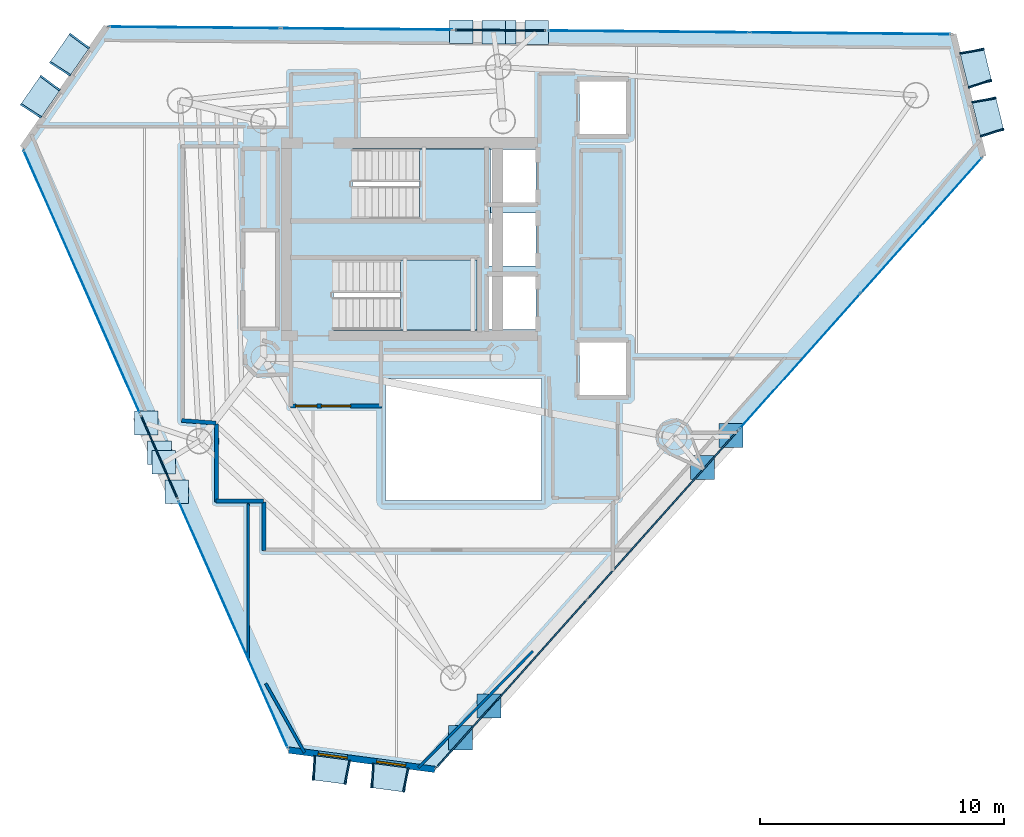
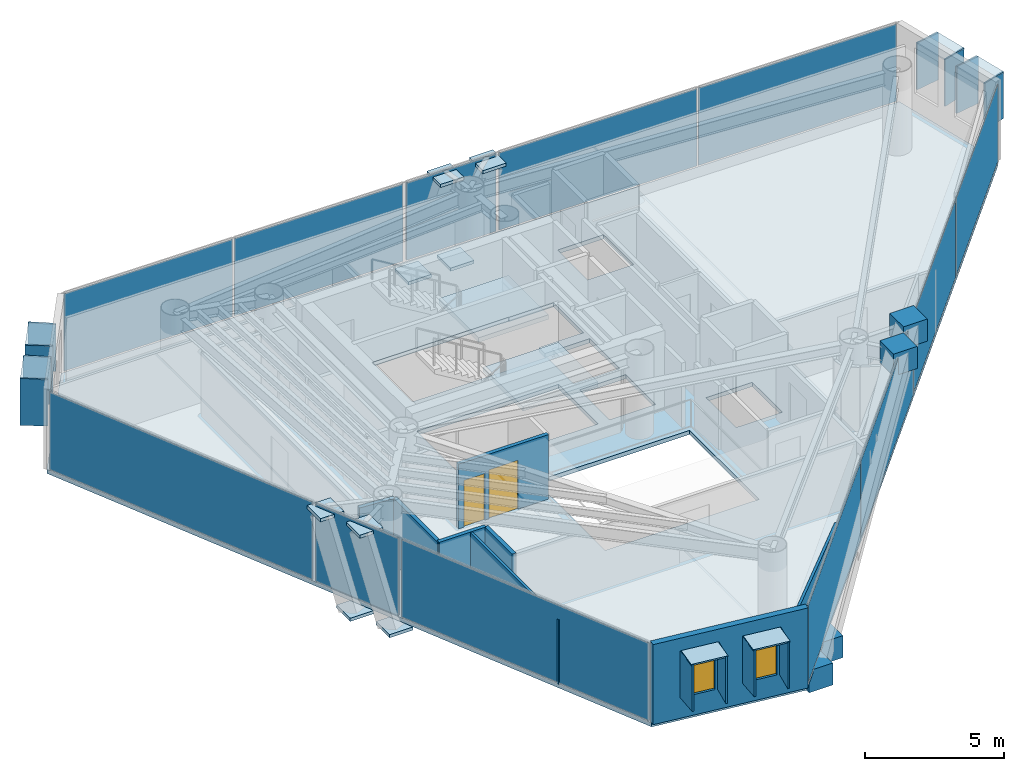
# One storey, part 15 of 21: 42 plates, 9 walls, 3 slabs, 2 doors, 2 windows, 4 openings, 10 elements without a shape of their own.
"""IFC4 building model written with IfcOpenShell, lengths in metres."""

import ifcopenshell
import ifcopenshell.guid

model = None  # the IFC model being written
_history = None  # IfcOwnerHistory: only IFC2X3 demands one
_inside = {}  # id of a spatial element -> (the spatial element, [elements in it])
_under = {}  # id of a project, library or spatial element -> (it, [spatial elements below it])
_declared = {}  # id of a project -> (the project, [libraries it declares])
_typed = {}  # id of a type object -> (the type object, [elements of that type])
_made_of = {}  # id of a material, layer set ... -> (it, [elements and type objects made of it])


def new_model(schema):
    """Start an empty IFC model of exactly this schema.

    Asked for "IFC4X3", IfcOpenShell would pick the latest addendum, in which some entities
    have other attributes; the version numbers below select the first issue.
    IFC2X3 requires an IfcOwnerHistory on every rooted entity: one is made here for all.
    """
    global model, _history
    if schema == "IFC4X3":
        model = ifcopenshell.file(schema_version=(4, 3, 0, 0))
    else:
        model = ifcopenshell.file(schema=schema)
    _inside.clear()
    _under.clear()
    _declared.clear()
    _typed.clear()
    _made_of.clear()
    _history = None
    if model.schema == "IFC2X3":
        org = make("IfcOrganization", Name="unknown")
        user = make(
            "IfcPersonAndOrganization",
            ThePerson=make("IfcPerson", FamilyName="unknown"),
            TheOrganization=org,
        )
        app = make(
            "IfcApplication",
            ApplicationDeveloper=org,
            Version="unknown",
            ApplicationFullName="unknown",
            ApplicationIdentifier="unknown",
        )
        _history = make(
            "IfcOwnerHistory",
            OwningUser=user,
            OwningApplication=app,
            ChangeAction="ADDED",
            CreationDate=0,
        )
    return model


def make(cls, **values):
    """One entity of the class cls with the attributes given. An attribute that is None is left unset."""
    return model.create_entity(
        cls, **{name: value for name, value in values.items() if value is not None}
    )


def rooted(cls, **values):
    """An entity with a GlobalId (a new one), such as an element, a storey or a relation."""
    return make(cls, GlobalId=ifcopenshell.guid.new(), OwnerHistory=_history, **values)


def si_unit(unit_type, name, prefix=None):
    """IfcSIUnit, for example si_unit("LENGTHUNIT", "METRE", prefix="MILLI")."""
    return make("IfcSIUnit", UnitType=unit_type, Prefix=prefix, Name=name)


def assignment(units):
    """IfcUnitAssignment: the units of a project."""
    return None if units is None else make("IfcUnitAssignment", Units=units)


def point(xyz):
    """IfcCartesianPoint."""
    return None if xyz is None else make("IfcCartesianPoint", Coordinates=xyz)


def direction(xyz):
    """IfcDirection."""
    return None if xyz is None else make("IfcDirection", DirectionRatios=xyz)


def frame(location, z_axis=None, x_axis=None):
    """IfcAxis2Placement3D, a coordinate frame: its origin and axes. An axis left out is left unset."""
    return make(
        "IfcAxis2Placement3D",
        Location=point(location),
        Axis=direction(z_axis),
        RefDirection=direction(x_axis),
    )


def frame_2d(location, x_axis=None):
    """IfcAxis2Placement2D, a coordinate frame in the plane: its origin and x axis."""
    return make(
        "IfcAxis2Placement2D", Location=point(location), RefDirection=direction(x_axis)
    )


def origin():
    """The frame at (0, 0, 0) with its axes left unset."""
    return frame((0.0, 0.0, 0.0))


def origin_2d():
    """The frame at (0, 0) in the plane with its x axis left unset."""
    return frame_2d((0.0, 0.0))


def place(relative_to, where):
    """IfcLocalPlacement: puts the frame where relative to a parent placement (None: the world)."""
    return make(
        "IfcLocalPlacement", PlacementRelTo=relative_to, RelativePlacement=where
    )


def context(
    kind, dimensions, precision=None, world=None, true_north=None, identifier=None
):
    """IfcGeometricRepresentationContext, for example the 3D "Model" context."""
    return make(
        "IfcGeometricRepresentationContext",
        ContextIdentifier=identifier,
        ContextType=kind,
        CoordinateSpaceDimension=dimensions,
        Precision=precision,
        WorldCoordinateSystem=world,
        TrueNorth=true_north,
    )


def subcontext(parent, identifier, kind, view, scale=None):
    """IfcGeometricRepresentationSubContext, for example "Body" below "Model"."""
    return make(
        "IfcGeometricRepresentationSubContext",
        ContextIdentifier=identifier,
        ContextType=kind,
        ParentContext=parent,
        TargetScale=scale,
        TargetView=view,
    )


def project(units=None, contexts=None):
    """IfcProject with its units and contexts."""
    return rooted(
        "IfcProject",
        Name="project",
        RepresentationContexts=contexts,
        UnitsInContext=assignment(units),
    )


def spatial(cls, under=None, at=None, **own):
    """A site, building, storey or space (cls), placed at a placement, below another one or the project."""
    s = rooted(cls, ObjectPlacement=at, **own)
    if under is not None:
        _under.setdefault(under.id(), (under, []))[1].append(s)
    return s


def polyline(points):
    """IfcPolyline through the points."""
    return make("IfcPolyline", Points=[point(p) for p in points])


def profile(cls, at=None, kind="AREA", **sizes):
    """A parametric profile (cls). Its sizes go by their IFC names, for example OverallWidth=200.0."""
    return make(cls, ProfileType=kind, Position=at, **sizes)


def rectangle(**sizes):
    """IfcRectangleProfileDef."""
    return profile("IfcRectangleProfileDef", **sizes)


def outline(outer, holes=None, kind="AREA"):
    """IfcArbitraryClosedProfileDef: a profile drawn as a closed curve; with holes, ...WithVoids."""
    if holes is None:
        return make("IfcArbitraryClosedProfileDef", ProfileType=kind, OuterCurve=outer)
    return make(
        "IfcArbitraryProfileDefWithVoids",
        ProfileType=kind,
        OuterCurve=outer,
        InnerCurves=holes,
    )


def extrude(swept, where, along, depth):
    """IfcExtrudedAreaSolid: the profile swept, set in the frame where, extruded along a direction by depth."""
    return make(
        "IfcExtrudedAreaSolid",
        SweptArea=swept,
        Position=where,
        ExtrudedDirection=direction(along),
        Depth=depth,
    )


def shape(context_of_items, identifier, shape_type, items):
    """IfcShapeRepresentation: the items that make up one representation, for example the "Body"."""
    return make(
        "IfcShapeRepresentation",
        ContextOfItems=context_of_items,
        RepresentationIdentifier=identifier,
        RepresentationType=shape_type,
        Items=items,
    )


def material(Name=None, Category=None):
    """IfcMaterial."""
    return make("IfcMaterial", Name=Name, Category=Category)


def layer(
    of_material, thickness, ventilated=None, Name=None, Category=None, Priority=None
):
    """IfcMaterialLayer: one layer of a wall or slab, of a material (None: an air gap)."""
    return make(
        "IfcMaterialLayer",
        Material=of_material,
        LayerThickness=thickness,
        IsVentilated=ventilated,
        Name=Name,
        Category=Category,
        Priority=Priority,
    )


def layer_set(layers, Name=None):
    """IfcMaterialLayerSet."""
    return make("IfcMaterialLayerSet", MaterialLayers=layers, LayerSetName=Name)


def made_of(thing, what):
    """Note that an element or type object is made of a material, layer set ...; save() writes the relation."""
    if what is not None:
        _made_of.setdefault(what.id(), (what, []))[1].append(thing)
    return thing


def type_object(cls, material=None, **own):
    """A type object (cls), such as IfcWallType, which elements share."""
    return made_of(rooted(cls, **own), material)


def element(
    cls,
    number,
    at=None,
    inside=None,
    cuts=None,
    type_object=None,
    material=None,
    context=None,
    identifier="Body",
    shape_type=None,
    held_by="IfcProductDefinitionShape",
    body=None,
    shapes=None,
    **own,
):
    """One element of the class cls, such as IfcWall. Its Tag is "e" and its number.

    at: its placement. inside: the storey or other place that contains it. cuts: it is an
    opening in that element (IfcRelVoidsElement). A single representation is given by context,
    identifier, shape_type and body (its items); several are given by shapes. held_by: the class
    of the entity that holds the representations. save() writes the other relations.
    """
    e = rooted(cls, Tag="e%d" % number, ObjectPlacement=at, **own)
    if body is not None:
        shapes = [shape(context, identifier, shape_type, body)]
    if shapes is not None:
        e.Representation = make(held_by, Representations=shapes)
    if inside is not None:
        _inside.setdefault(inside.id(), (inside, []))[1].append(e)
    if cuts is not None:
        rooted(
            "IfcRelVoidsElement", RelatingBuildingElement=cuts, RelatedOpeningElement=e
        )
    if type_object is not None:
        _typed.setdefault(type_object.id(), (type_object, []))[1].append(e)
    return made_of(e, material)


def fill(opening, filler):
    """IfcRelFillsElement: the door or window that sits in an opening."""
    return rooted(
        "IfcRelFillsElement",
        RelatingOpeningElement=opening,
        RelatedBuildingElement=filler,
    )


def aggregate(whole, parts):
    """IfcRelAggregates: a whole, such as a stair, and the parts it consists of."""
    return rooted("IfcRelAggregates", RelatingObject=whole, RelatedObjects=parts)


def save(model, path):
    """Write the relations noted so far, then the file.

    IfcRelAggregates (storeys below a building ...), IfcRelContainedInSpatialStructure (elements
    in a storey), IfcRelDefinesByType, IfcRelAssociatesMaterial and IfcRelDeclares: one each for
    every whole, place, type object, material and project.
    """
    for whole, parts in _under.values():
        aggregate(whole, parts)
    for where, things in _inside.values():
        rooted(
            "IfcRelContainedInSpatialStructure",
            RelatedElements=things,
            RelatingStructure=where,
        )
    for kind, things in _typed.values():
        rooted("IfcRelDefinesByType", RelatedObjects=things, RelatingType=kind)
    for what, things in _made_of.values():
        rooted("IfcRelAssociatesMaterial", RelatedObjects=things, RelatingMaterial=what)
    for by, libraries in _declared.values():
        rooted("IfcRelDeclares", RelatingContext=by, RelatedDefinitions=libraries)
    model.write(path)


model = new_model("IFC4")

# Units and contexts
model_context = context("Model", 3, precision=1e-05, world=origin(), true_north=direction((0.0, 1.0)))
body_context = subcontext(model_context, "Body", "Model", "MODEL_VIEW")
ifc_project = project(units=[si_unit("LENGTHUNIT", "METRE"), si_unit("AREAUNIT", "SQUARE_METRE"), si_unit("VOLUMEUNIT", "CUBIC_METRE"), si_unit("PLANEANGLEUNIT", "RADIAN"), si_unit("MASSUNIT", "GRAM", prefix="KILO")], contexts=[model_context])

# Site, building, storey
site_placement = place(None, origin())
site = spatial("IfcSite", under=ifc_project, at=site_placement, CompositionType="ELEMENT")
building_placement = place(site_placement, origin())
building = spatial("IfcBuilding", under=site, at=building_placement, Name="Qianvela Tower", CompositionType="ELEMENT")
storey_placement = place(building_placement, frame((0.0, 0.0, 250.10009765625)))
storey = spatial("IfcBuildingStorey", under=building, at=storey_placement, Name="L64", CompositionType="ELEMENT", Elevation=250.10009765625)

# Curtain wall, plate
ifc_material_1 = material(Name="Anodised Architectural Aluminium and Insulated Spandrel Panel", Category="aluminium")
ifc_layer_1 = layer(ifc_material_1, 0.179931640625)
ifc_layer_set_1 = layer_set([ifc_layer_1], Name="Anodised Architectural Aluminium and Insulated Spandrel Panel")
curtain_wall_type_1 = type_object("IfcCurtainWallType", Name="CW-BRACEBAY", PredefinedType="USERDEFINED", material=ifc_layer_set_1)
curtain_wall_1_placement = place(storey_placement, origin())
curtain_wall_1 = element("IfcCurtainWall", 1, at=curtain_wall_1_placement, inside=storey, type_object=curtain_wall_type_1, Name="L64 CW-BRACEBAY Curtain Wall 02B", ObjectType="CURTAIN_WALL_SYSTEM", PredefinedType="USERDEFINED")
ifc_material_2 = material(Name="Insulated Aluminium Spandrel Panel with Mineral-Wool Backpan", Category="aluminium")
ifc_layer_2 = layer(ifc_material_2, 0.06005859375)
ifc_layer_set_2 = layer_set([ifc_layer_2], Name="Insulated Aluminium Spandrel Panel with Mineral-Wool Backpan")
plate_type_1 = type_object("IfcPlateType", Name="CW-BRACEBAY-PNL", PredefinedType="CURTAIN_PANEL", material=ifc_layer_set_2)
plate_1_placement = place(storey_placement, frame((38.308349609375, 37.270263671875, 0.06494140625), z_axis=(0.0, 0.0, 1.0), x_axis=(-0.999959898811, 0.008955488266, 0.0)))
plate_1 = element("IfcPlate", 2, at=plate_1_placement, type_object=plate_type_1, Name="CW-9 panel 1.1", PredefinedType="CURTAIN_PANEL", context=body_context, shape_type="SweptSolid", body=[
    extrude(rectangle(XDim=3.699951171875, YDim=0.06005859375, at=origin_2d()), origin(), (0.0, 0.0, 1.0), 3.389892578125),
])
aggregate(curtain_wall_1, [plate_1])

curtain_wall_2_placement = place(storey_placement, origin())
curtain_wall_2 = element("IfcCurtainWall", 3, at=curtain_wall_2_placement, inside=storey, type_object=curtain_wall_type_1, Name="L64 CW-BRACEBAY Curtain Wall 04B", ObjectType="CURTAIN_WALL_SYSTEM", PredefinedType="USERDEFINED")
plate_2_placement = place(storey_placement, frame((24.331298828125, 19.787841796875, 0.06494140625), z_axis=(0.0, 0.0, 1.0), x_axis=(0.404180104869, -0.914679420796, 0.0)))
plate_2 = element("IfcPlate", 4, at=plate_2_placement, type_object=plate_type_1, Name="CW-9 panel 1.1", PredefinedType="CURTAIN_PANEL", context=body_context, shape_type="SweptSolid", body=[
    extrude(rectangle(XDim=3.699951171875, YDim=0.06005859375, at=origin_2d()), origin(), (0.0, 0.0, 1.0), 3.389892578125),
])
aggregate(curtain_wall_2, [plate_2])

# Curtain wall, plates
curtain_wall_3_placement = place(storey_placement, origin())
curtain_wall_3 = element("IfcCurtainWall", 5, at=curtain_wall_3_placement, inside=storey, type_object=curtain_wall_type_1, Name="L64 CW-BRACEBAY Curtain Wall 06A", ObjectType="CURTAIN_WALL_SYSTEM", PredefinedType="USERDEFINED")
plate_3_placement = place(storey_placement, frame((38.773681640625, 10.5078125, 0.06494140625), z_axis=(0.0, 0.0, 1.0), x_axis=(0.666623883799, 0.74539425645, 0.0)))
plate_3 = element("IfcPlate", 6, at=plate_3_placement, type_object=plate_type_1, Name="CW-9 panel 1.1", PredefinedType="CURTAIN_PANEL", context=body_context, shape_type="SweptSolid", body=[
    extrude(rectangle(XDim=9.21240234375, YDim=0.06005859375, at=origin_2d()), origin(), (0.0, 0.0, 1.0), 3.389892578125),
])
plate_4_placement = place(storey_placement, frame((44.958251953125, 17.423095703125, 0.06494140625), z_axis=(0.0, 0.0, 1.0), x_axis=(0.666623883799, 0.74539425645, 0.0)))
plate_4 = element("IfcPlate", 7, at=plate_4_placement, type_object=plate_type_1, Name="CW-9 panel 2.1", PredefinedType="CURTAIN_PANEL", context=body_context, shape_type="SweptSolid", body=[
    extrude(rectangle(XDim=9.21240234375, YDim=0.06005859375, at=origin_2d()), origin(), (0.0, 0.0, 1.0), 3.389892578125),
])
aggregate(curtain_wall_3, [plate_3, plate_4])

ifc_material_3 = material(Name="Anodised Architectural Aluminium and Low-E Glass", Category="aluminium")
ifc_layer_3 = layer(ifc_material_3, 0.159912109375)
ifc_layer_set_3 = layer_set([ifc_layer_3], Name="Anodised Architectural Aluminium and Low-E Glass")
curtain_wall_type_2 = type_object("IfcCurtainWallType", Name="CW-COLIV-Z56", PredefinedType="USERDEFINED", material=ifc_layer_set_3)
curtain_wall_4_placement = place(storey_placement, origin())
curtain_wall_4 = element("IfcCurtainWall", 8, at=curtain_wall_4_placement, inside=storey, type_object=curtain_wall_type_2, Name="L64 CW-COLIV-Z56 Curtain Wall 02A", ObjectType="CURTAIN_WALL_SYSTEM", PredefinedType="USERDEFINED")
ifc_material_4 = material(Name="Double-Silver Low-E Insulated Glass", Category="glass")
ifc_layer_4 = layer(ifc_material_4, 0.028076171875)
ifc_layer_set_4 = layer_set([ifc_layer_4], Name="Double-Silver Low-E Insulated Glass")
plate_type_2 = type_object("IfcPlateType", Name="CW-COLIV-Z56-PNL", PredefinedType="CURTAIN_PANEL", material=ifc_layer_set_4)
plate_5_placement = place(storey_placement, frame((52.641357421875, 37.141845703125, 0.06005859375), z_axis=(0.0, 0.0, 1.0), x_axis=(-0.999959888916, 0.008956593067, 0.0)))
plate_5 = element("IfcPlate", 9, at=plate_5_placement, type_object=plate_type_2, Name="CW-5 panel 1.1", PredefinedType="CURTAIN_PANEL", context=body_context, shape_type="SweptSolid", body=[
    extrude(rectangle(XDim=8.1923828125, YDim=0.028076171875, at=origin_2d()), origin(), (0.0, 0.0, 1.0), 3.39990234375),
])
plate_6_placement = place(storey_placement, frame((44.38427734375, 37.2158203125, 0.06005859375), z_axis=(0.0, 0.0, 1.0), x_axis=(-0.999959888916, 0.008956593067, 0.0)))
plate_6 = element("IfcPlate", 10, at=plate_6_placement, type_object=plate_type_2, Name="CW-5 panel 2.1", PredefinedType="CURTAIN_PANEL", context=body_context, shape_type="SweptSolid", body=[
    extrude(rectangle(XDim=8.1923828125, YDim=0.028076171875, at=origin_2d()), origin(), (0.0, 0.0, 1.0), 3.39990234375),
])
aggregate(curtain_wall_4, [plate_5, plate_6])

curtain_wall_5_placement = place(storey_placement, origin())
curtain_wall_5 = element("IfcCurtainWall", 11, at=curtain_wall_5_placement, inside=storey, type_object=curtain_wall_type_2, Name="L64 CW-COLIV-Z56 Curtain Wall 02C", ObjectType="CURTAIN_WALL_SYSTEM", PredefinedType="USERDEFINED")
plate_7_placement = place(storey_placement, frame((32.836669921875, 37.319091796875, 0.06005859375), z_axis=(0.0, 0.0, 1.0), x_axis=(-0.999959855118, 0.008960365602, 0.0)))
plate_7 = element("IfcPlate", 12, at=plate_7_placement, type_object=plate_type_2, Name="CW-5 panel 1.1", PredefinedType="CURTAIN_PANEL", context=body_context, shape_type="SweptSolid", body=[
    extrude(rectangle(XDim=6.983642578125, YDim=0.028076171875, at=origin_2d()), origin(), (0.0, 0.0, 1.0), 3.39990234375),
])
plate_8_placement = place(storey_placement, frame((25.7880859375, 37.38232421875, 0.06005859375), z_axis=(0.0, 0.0, 1.0), x_axis=(-0.999959855118, 0.008960365602, 0.0)))
plate_8 = element("IfcPlate", 13, at=plate_8_placement, type_object=plate_type_2, Name="CW-5 panel 2.1", PredefinedType="CURTAIN_PANEL", context=body_context, shape_type="SweptSolid", body=[
    extrude(rectangle(XDim=6.983642578125, YDim=0.028076171875, at=origin_2d()), origin(), (0.0, 0.0, 1.0), 3.39990234375),
])
aggregate(curtain_wall_5, [plate_7, plate_8])

# Curtain wall, plate
curtain_wall_6_placement = place(storey_placement, origin())
curtain_wall_6 = element("IfcCurtainWall", 14, at=curtain_wall_6_placement, inside=storey, type_object=curtain_wall_type_2, Name="L64 CW-COLIV-Z56 Curtain Wall 04A", ObjectType="CURTAIN_WALL_SYSTEM", PredefinedType="USERDEFINED")
plate_9_placement = place(storey_placement, frame((21.156494140625, 26.97265625, 0.06005859375), z_axis=(0.0, 0.0, 1.0), x_axis=(0.404182682841, -0.914678281633, 0.0)))
plate_9 = element("IfcPlate", 15, at=plate_9_placement, type_object=plate_type_2, Name="CW-5 panel 1.1", PredefinedType="CURTAIN_PANEL", context=body_context, shape_type="SweptSolid", body=[
    extrude(rectangle(XDim=11.75, YDim=0.028076171875, at=origin_2d()), origin(), (0.0, 0.0, 1.0), 3.39990234375),
])
aggregate(curtain_wall_6, [plate_9])

curtain_wall_7_placement = place(storey_placement, origin())
curtain_wall_7 = element("IfcCurtainWall", 16, at=curtain_wall_7_placement, inside=storey, type_object=curtain_wall_type_2, Name="L64 CW-COLIV-Z56 Curtain Wall 04C", ObjectType="CURTAIN_WALL_SYSTEM", PredefinedType="USERDEFINED")
plate_10_placement = place(storey_placement, frame((27.36083984375, 12.931884765625, 0.06005859375), z_axis=(0.0, 0.0, 1.0), x_axis=(0.404183896643, -0.914677745271, 0.0)))
plate_10 = element("IfcPlate", 17, at=plate_10_placement, type_object=plate_type_2, Name="CW-5 panel 1.1", PredefinedType="CURTAIN_PANEL", context=body_context, shape_type="SweptSolid", body=[
    extrude(rectangle(XDim=11.03076171875, YDim=0.028076171875, at=origin_2d()), origin(), (0.0, 0.0, 1.0), 3.39990234375),
])
aggregate(curtain_wall_7, [plate_10])

# Curtain wall, plates
curtain_wall_8_placement = place(storey_placement, origin())
curtain_wall_8 = element("IfcCurtainWall", 18, at=curtain_wall_8_placement, inside=storey, type_object=curtain_wall_type_2, Name="L64 CW-COLIV-Z56 Curtain Wall 06B", ObjectType="CURTAIN_WALL_SYSTEM", PredefinedType="USERDEFINED")
plate_11_placement = place(storey_placement, frame((50.577392578125, 23.706298828125, 0.06005859375), z_axis=(0.0, 0.0, 1.0), x_axis=(0.666624548237, 0.745393662226, 0.0)))
plate_11 = element("IfcPlate", 19, at=plate_11_placement, type_object=plate_type_2, Name="CW-5 panel 1.1", PredefinedType="CURTAIN_PANEL", context=body_context, shape_type="SweptSolid", body=[
    extrude(rectangle(XDim=7.386474609375, YDim=0.028076171875, at=origin_2d()), origin(), (0.0, 0.0, 1.0), 3.39990234375),
])
plate_12_placement = place(storey_placement, frame((55.544677734375, 29.260498046875, 0.06005859375), z_axis=(0.0, 0.0, 1.0), x_axis=(0.666624548237, 0.745393662226, 0.0)))
plate_12 = element("IfcPlate", 20, at=plate_12_placement, type_object=plate_type_2, Name="CW-5 panel 2.1", PredefinedType="CURTAIN_PANEL", context=body_context, shape_type="SweptSolid", body=[
    extrude(rectangle(XDim=7.386474609375, YDim=0.028076171875, at=origin_2d()), origin(), (0.0, 0.0, 1.0), 3.39990234375),
])
aggregate(curtain_wall_8, [plate_11, plate_12])

# Plates
ifc_material_5 = material(Name="Steel Q420GJC", Category="steel")
ifc_layer_5 = layer(ifc_material_5, 0.139892578125)
ifc_layer_set_5 = layer_set([ifc_layer_5], Name="Steel Q420GJC")
plate_type_3 = type_object("IfcPlateType", Name="PT-GUSSET-NODE-140", PredefinedType="USERDEFINED", material=ifc_layer_set_5)
for number, where, z_axis, x_axis, name in (
    (21, (38.46044921875, 37.188720703125, -0.61328125), (0.0, 0.0, 1.0), (1.0, 0.0, 0.0), "L64 Node Gusset Plate A"),
    (22, (39.79150390625, 37.177001953125, 3.20947265625), (0.0, 0.0, 1.0), (1.0, 0.0, 0.0), "L64 Node Gusset Plate B"),
    (23, (36.708251953125, 37.20458984375, -0.61328125), (0.0, 0.0, 1.0), (1.0, 0.0, 0.0), "L64 Node Gusset Plate A"),
    (24, (38.0390625, 37.192626953125, 3.20947265625), (0.0, 0.0, 1.0), (1.0, 0.0, 0.0), "L64 Node Gusset Plate B"),
    (25, (24.340576171875, 19.965087890625, -0.61328125), (0.0, 0.0, 1.0), (1.0, 0.0, 0.0), "L64 Node Gusset Plate A"),
    (26, (23.804443359375, 21.177978515625, 3.20947265625), (0.0, 0.0, 1.0), (1.0, 0.0, 0.0), "L64 Node Gusset Plate B"),
    (27, (25.048583984375, 18.3623046875, -0.61328125), (0.0, 0.0, 1.0), (1.0, 0.0, 0.0), "L64 Node Gusset Plate A"),
    (28, (24.512939453125, 19.574951171875, 3.20947265625), (0.0, 0.0, 1.0), (1.0, 0.0, 0.0), "L64 Node Gusset Plate B"),
):
    element("IfcPlate", number, at=place(storey_placement, frame(where, z_axis=z_axis, x_axis=x_axis)), inside=storey, type_object=plate_type_3, Name=name, ObjectType="GUSSET_PLATE", PredefinedType="USERDEFINED", context=body_context, shape_type="SweptSolid", body=[
        extrude(rectangle(XDim=0.969970703125, YDim=0.969970703125, at=origin_2d()), origin(), (0.0, 0.0, 1.0), 0.139892578125),
    ])
for number, where, z_axis, x_axis, name in (
    (29, (36.67919921875, 8.28564453125, -0.98291015625), (0.0, 0.0, 1.0), (1.0, 0.0, 0.0), "L64 Node Gusset Plate A"),
    (30, (46.583984375, 19.36083984375, 2.74853515625), (0.0, 0.0, 1.0), (1.0, 0.0, 0.0), "L64 Node Gusset Plate B"),
    (31, (37.847412109375, 9.591796875, -0.98291015625), (0.0, 0.0, 1.0), (1.0, 0.0, 0.0), "L64 Node Gusset Plate A"),
    (32, (47.752197265625, 20.667236328125, 2.74853515625), (0.0, 0.0, 1.0), (1.0, 0.0, 0.0), "L64 Node Gusset Plate B"),
):
    element("IfcPlate", number, at=place(storey_placement, frame(where, z_axis=z_axis, x_axis=x_axis)), inside=storey, type_object=plate_type_3, Name=name, ObjectType="GUSSET_PLATE", PredefinedType="USERDEFINED", context=body_context, shape_type="SweptSolid", body=[
        extrude(rectangle(XDim=0.989990234375, YDim=0.989990234375, at=origin_2d()), origin(), (0.0, 0.0, 1.0), 0.969970703125),
    ])

# Slab
ifc_material_6 = material(Name="Concrete C40", Category="concrete")
ifc_layer_6 = layer(ifc_material_6, 0.179931640625)
ifc_layer_set_6 = layer_set([ifc_layer_6], Name="Concrete C40")
slab_type_1 = type_object("IfcSlabType", Name="SL-FLOOR-180", PredefinedType="FLOOR", material=ifc_layer_set_6)
slab_1_placement = place(storey_placement, frame((0.0, 0.0, -0.18017578125)))
element("IfcSlab", 33, at=slab_1_placement, inside=storey, type_object=slab_type_1, Name="L64 Composite Structural Floor Slab", PredefinedType="FLOOR", context=body_context, shape_type="SweptSolid", body=[
    extrude(outline(polyline([(58.08349609375, 32.09912109375), (56.8525390625, 37.10400390625), (22.181396484375, 37.41455078125), (18.735595703125, 32.451416015625), (29.63671875, 7.781982421875), (35.62646484375, 6.988525390625), (58.08349609375, 32.09912109375)]), holes=[polyline([(40.0, 23.0), (33.60009765625, 23.0), (33.60009765625, 18.0), (40.0, 18.0), (40.0, 23.0)]), polyline([(43.4599609375, 24.47998046875), (41.5400390625, 24.47998046875), (41.5400390625, 22.320068359375), (43.4599609375, 22.320068359375), (43.4599609375, 24.47998046875)]), polyline([(39.760009765625, 27.179931640625), (37.840087890625, 27.179931640625), (37.840087890625, 25.02001953125), (39.760009765625, 25.02001953125), (39.760009765625, 27.179931640625)]), polyline([(37.35009765625, 27.860107421875), (31.469970703125, 27.860107421875), (31.469970703125, 25.0), (37.35009765625, 25.0), (37.35009765625, 27.860107421875)]), polyline([(39.760009765625, 27.6201171875), (39.760009765625, 29.780029296875), (37.89990234375, 29.780029296875), (37.89990234375, 30.219970703125), (39.760009765625, 30.219970703125), (39.760009765625, 32.3798828125), (37.89990234375, 32.3798828125), (37.89990234375, 32.39990234375), (32.25, 32.39990234375), (32.25, 29.5400390625), (37.840087890625, 29.5400390625), (37.840087890625, 27.6201171875), (39.760009765625, 27.6201171875)]), polyline([(43.4599609375, 35.179931640625), (41.5400390625, 35.179931640625), (41.5400390625, 33.02001953125), (43.4599609375, 33.02001953125), (43.4599609375, 35.179931640625)])]), origin(), (0.0, 0.0, 1.0), 0.18017578125),
])

# Stair, slab
ifc_material_7 = material(Name="Concrete C40", Category="concrete")
stair_type = type_object("IfcStairType", Name="ST-DOGLEG-1350-R168-N22", PredefinedType="HALF_TURN_STAIR", material=ifc_material_7)
stair_1_placement = place(storey_placement, origin())
stair_1 = element("IfcStair", 34, at=stair_1_placement, inside=storey, type_object=stair_type, Name="L64 Smoke-Proof Core Stair ST-1", PredefinedType="HALF_TURN_STAIR")
ifc_material_8 = material(Name="Concrete C40", Category="concrete")
ifc_layer_7 = layer(ifc_material_8, 0.199951171875)
ifc_layer_set_7 = layer_set([ifc_layer_7], Name="Concrete C40")
slab_type_2 = type_object("IfcSlabType", Name="SL-STAIR-LANDING-200", PredefinedType="LANDING", material=ifc_layer_set_7)
slab_2_placement = place(storey_placement, frame((0.0, 0.0, 1.64990234375)))
slab_2 = element("IfcSlab", 35, at=slab_2_placement, type_object=slab_type_2, Name="ST-1 landing 1", PredefinedType="LANDING", context=body_context, shape_type="SweptSolid", body=[
    extrude(outline(polyline([(35.0, 29.5400390625), (37.89990234375, 29.5400390625), (37.89990234375, 32.39990234375), (35.0, 32.39990234375), (35.0, 29.5400390625)])), origin(), (0.0, 0.0, 1.0), 0.199951171875),
])
aggregate(stair_1, [slab_2])

stair_2_placement = place(storey_placement, origin())
stair_2 = element("IfcStair", 36, at=stair_2_placement, inside=storey, type_object=stair_type, Name="L64 Smoke-Proof Core Stair ST-2", PredefinedType="HALF_TURN_STAIR")
slab_3_placement = place(storey_placement, frame((0.0, 0.0, 1.64990234375)))
slab_3 = element("IfcSlab", 37, at=slab_3_placement, type_object=slab_type_2, Name="ST-2 landing 1", PredefinedType="LANDING", context=body_context, shape_type="SweptSolid", body=[
    extrude(outline(polyline([(34.219970703125, 25.0), (37.35009765625, 25.0), (37.35009765625, 27.860107421875), (34.219970703125, 27.860107421875), (34.219970703125, 25.0)])), origin(), (0.0, 0.0, 1.0), 0.199951171875),
])
aggregate(stair_2, [slab_3])

# Plates
ifc_material_9 = material(Name="Vitrified Architectural Terracotta Panel", Category="masonry")
ifc_layer_8 = layer(ifc_material_9, 0.06005859375)
ifc_layer_set_8 = layer_set([ifc_layer_8], Name="Vitrified Architectural Terracotta Panel")
plate_type_4 = type_object("IfcPlateType", Name="TERRACOTTA-SUNSHADE-HOOD-FOLD-A", PredefinedType="USERDEFINED", material=ifc_layer_set_8)
for number, where, z_axis, x_axis, name in (
    (38, (58.2822265625, 33.740478515625, 2.909912109375), (0.0, 0.0, 1.0), (-0.238821588416, 0.971063462862, 0.0), "L64 Terracotta Sunshade Hood FOLD-A"),
    (39, (57.789794921875, 35.7421875, 2.909912109375), (0.0, 0.0, 1.0), (-0.238821588416, 0.971063462862, 0.0), "L64 Terracotta Sunshade Hood FOLD-A"),
    (40, (31.356689453125, 6.964111328125, 2.909912109375), (0.0, 0.0, 1.0), (0.991339061099, -0.131327323659, 0.0), "L64 Terracotta Sunshade Hood FOLD-A"),
    (41, (33.752685546875, 6.646484375, 2.909912109375), (0.0, 0.0, 1.0), (0.991339061099, -0.131327323659, 0.0), "L64 Terracotta Sunshade Hood FOLD-A"),
):
    element("IfcPlate", number, at=place(storey_placement, frame(where, z_axis=z_axis, x_axis=x_axis)), inside=storey, type_object=plate_type_4, Name=name, ObjectType="SUNSHADE", PredefinedType="USERDEFINED", context=body_context, shape_type="SweptSolid", body=[
        extrude(rectangle(XDim=1.43994140625, YDim=0.989990234375, at=origin_2d()), origin(), (0.0, 0.0, 1.0), 0.06005859375),
    ])
ifc_material_10 = material(Name="Vitrified Architectural Terracotta Panel", Category="masonry")
ifc_layer_9 = layer(ifc_material_10, 0.070068359375)
ifc_layer_set_9 = layer_set([ifc_layer_9], Name="Vitrified Architectural Terracotta Panel")
plate_type_5 = type_object("IfcPlateType", Name="TERRACOTTA-SUNSHADE-HOOD-FOLD-C", PredefinedType="USERDEFINED", material=ifc_layer_set_9)
for number, where, z_axis, x_axis, name in (
    (42, (20.667236328125, 36.25927734375, 2.909912109375), (0.0, 0.0, 1.0), (-0.570329414169, -0.821416069562, 0.0), "L64 Terracotta Sunshade Hood FOLD-C"),
    (43, (19.47119140625, 34.536865234375, 2.909912109375), (0.0, 0.0, 1.0), (-0.570329414169, -0.821416069562, 0.0), "L64 Terracotta Sunshade Hood FOLD-C"),
):
    element("IfcPlate", number, at=place(storey_placement, frame(where, z_axis=z_axis, x_axis=x_axis)), inside=storey, type_object=plate_type_5, Name=name, ObjectType="SUNSHADE", PredefinedType="USERDEFINED", context=body_context, shape_type="SweptSolid", body=[
        extrude(rectangle(XDim=1.43994140625, YDim=0.989990234375, at=origin_2d()), origin(), (0.0, 0.0, 1.0), 0.06005859375),
    ])
ifc_material_11 = material(Name="Vitrified Architectural Terracotta Side Fin Panel", Category="masonry")
ifc_layer_10 = layer(ifc_material_11, 0.06494140625)
ifc_layer_set_10 = layer_set([ifc_layer_10], Name="Vitrified Architectural Terracotta Side Fin Panel")
plate_type_6 = type_object("IfcPlateType", Name="TERRACOTTA-SUNSHADE-STRUT-FOLD-A", PredefinedType="USERDEFINED", material=ifc_layer_set_10)
for number, where, z_axis, x_axis, name in (
    (44, (58.447021484375, 33.0703125, 0.89990234375), (0.0, 0.0, 1.0), (-0.305977793981, 0.952038649211, 0.0), "L64 Terracotta Sunshade Side Fin HL FOLD-A"),
    (45, (58.117431640625, 34.410400390625, 0.89990234375), (0.0, 0.0, 1.0), (-0.170501868079, 0.985357352934, 0.0), "L64 Terracotta Sunshade Side Fin HR FOLD-A"),
    (46, (57.95458984375, 35.072265625, 0.89990234375), (0.0, 0.0, 1.0), (-0.305977793981, 0.952038649211, 0.0), "L64 Terracotta Sunshade Side Fin HL FOLD-A"),
    (47, (57.625, 36.412353515625, 0.89990234375), (0.0, 0.0, 1.0), (-0.170501868079, 0.985357352934, 0.0), "L64 Terracotta Sunshade Side Fin HR FOLD-A"),
    (48, (30.672607421875, 7.0546875, 0.89990234375), (0.0, 0.0, 1.0), (0.998085139975, -0.061855099712, 0.0), "L64 Terracotta Sunshade Side Fin HL FOLD-A"),
    (49, (32.040771484375, 6.873291015625, 0.89990234375), (0.0, 0.0, 1.0), (0.979763277966, -0.200159734086, 0.0), "L64 Terracotta Sunshade Side Fin HR FOLD-A"),
    (50, (33.068603515625, 6.7373046875, 0.89990234375), (0.0, 0.0, 1.0), (0.998085139975, -0.061855099712, 0.0), "L64 Terracotta Sunshade Side Fin HL FOLD-A"),
    (51, (34.436767578125, 6.555908203125, 0.89990234375), (0.0, 0.0, 1.0), (0.979763277966, -0.200159734086, 0.0), "L64 Terracotta Sunshade Side Fin HR FOLD-A"),
):
    element("IfcPlate", number, at=place(storey_placement, frame(where, z_axis=z_axis, x_axis=x_axis)), inside=storey, type_object=plate_type_6, Name=name, ObjectType="SUNSHADE", PredefinedType="USERDEFINED", context=body_context, shape_type="SweptSolid", body=[
        extrude(rectangle(XDim=0.06494140625, YDim=1.010009765625, at=origin_2d()), origin(), (0.0, 0.0, 1.0), 2.06005859375),
    ])
ifc_material_12 = material(Name="Vitrified Architectural Terracotta Side Fin Panel", Category="masonry")
ifc_layer_11 = layer(ifc_material_12, 0.074951171875)
ifc_layer_set_11 = layer_set([ifc_layer_11], Name="Vitrified Architectural Terracotta Side Fin Panel")
plate_type_7 = type_object("IfcPlateType", Name="TERRACOTTA-SUNSHADE-STRUT-FOLD-C", PredefinedType="USERDEFINED", material=ifc_layer_set_11)
for number, where, z_axis, x_axis, name in (
    (52, (21.060791015625, 36.826171875, 0.89990234375), (0.0, 0.0, 1.0), (-0.59864899231, -0.801011475577, 0.0), "L64 Terracotta Sunshade Side Fin HL FOLD-C"),
    (53, (20.273681640625, 35.6923828125, 0.89990234375), (0.0, 0.0, 1.0), (-0.541314977488, -0.840819894595, 0.0), "L64 Terracotta Sunshade Side Fin HR FOLD-C"),
    (54, (19.86474609375, 35.103759765625, 0.89990234375), (0.0, 0.0, 1.0), (-0.59864899231, -0.801011475577, 0.0), "L64 Terracotta Sunshade Side Fin HL FOLD-C"),
    (55, (19.07763671875, 33.97021484375, 0.89990234375), (0.0, 0.0, 1.0), (-0.541314977488, -0.840819894595, 0.0), "L64 Terracotta Sunshade Side Fin HR FOLD-C"),
):
    element("IfcPlate", number, at=place(storey_placement, frame(where, z_axis=z_axis, x_axis=x_axis)), inside=storey, type_object=plate_type_7, Name=name, ObjectType="SUNSHADE", PredefinedType="USERDEFINED", context=body_context, shape_type="SweptSolid", body=[
        extrude(rectangle(XDim=0.074951171875, YDim=1.010009765625, at=origin_2d()), origin(), (0.0, 0.0, 1.0), 2.06005859375),
    ])

# Wall, openings, windows
ifc_material_13 = material(Name="Terracotta Cladding on Concrete C40", Category="masonry")
ifc_layer_12 = layer(ifc_material_13, 0.260009765625)
ifc_layer_set_12 = layer_set([ifc_layer_12], Name="Terracotta Cladding on Concrete C40")
wall_type_1 = type_object("IfcWallType", Name="TERRACOTTA-WALL-260", PredefinedType="SOLIDWALL", material=ifc_layer_set_12)
wall_1_placement = place(storey_placement, frame((29.63671875, 7.781982421875, 0.0), z_axis=(0.0, 0.0, 1.0), x_axis=(0.991339764782, -0.13132201172, 0.0)))
wall_1 = element("IfcWall", 56, at=wall_1_placement, inside=storey, type_object=wall_type_1, Name="L64 Terracotta Chamfer Facet Wall 5", PredefinedType="SOLIDWALL", context=body_context, shape_type="SweptSolid", body=[
    extrude(rectangle(XDim=6.0419921875, YDim=0.260009765625, at=frame_2d((3.02099609375, 0.0))), origin(), (0.0, 0.0, 1.0), 3.52001953125),
])
opening_1_placement = place(wall_1_placement, frame((1.212646484375, 0.0, 0.89990234375)))
opening_1 = element("IfcOpeningElement", 57, at=opening_1_placement, cuts=wall_1, Name="Opening W-03", PredefinedType="OPENING", context=body_context, shape_type="SweptSolid", body=[
    extrude(rectangle(XDim=1.199951171875, YDim=2.0, at=frame_2d((0.60009765625, 1.0))), frame((0.0, 0.139892578125, 0.0), z_axis=(0.0, -1.0, 0.0), x_axis=(1.0, 0.0, 0.0)), (0.0, 0.0, 1.0), 0.280029296875),
])
opening_2_placement = place(wall_1_placement, frame((3.62939453125, 0.0, 0.89990234375)))
opening_2 = element("IfcOpeningElement", 58, at=opening_2_placement, cuts=wall_1, Name="Opening W-03", PredefinedType="OPENING", context=body_context, shape_type="SweptSolid", body=[
    extrude(rectangle(XDim=1.199951171875, YDim=2.0, at=frame_2d((0.60009765625, 1.0))), frame((0.0, 0.139892578125, 0.0), z_axis=(0.0, -1.0, 0.0), x_axis=(1.0, 0.0, 0.0)), (0.0, 0.0, 1.0), 0.280029296875),
])
ifc_material_14 = material(Name="Thermally Broken Aluminium and Low-E Glass", Category="aluminium")
window_type = type_object("IfcWindowType", Name="WIN-TC-1200x2000", PartitioningType="SINGLE_PANEL", PredefinedType="WINDOW", material=ifc_material_14)
window_1_placement = place(opening_1_placement, origin())
window_1 = element("IfcWindow", 59, at=window_1_placement, inside=storey, type_object=window_type, Name="L64 Chamfer Facet Window 5.1", OverallHeight=2.0, OverallWidth=1.199951171875, PartitioningType="SINGLE_PANEL", PredefinedType="WINDOW", context=body_context, shape_type="SweptSolid", body=[
    extrude(rectangle(XDim=1.199951171875, YDim=2.0, at=frame_2d((0.60009765625, 1.0))), frame((0.0, 0.030029296875, 0.0), z_axis=(0.0, -1.0, 0.0), x_axis=(1.0, 0.0, 0.0)), (0.0, 0.0, 1.0), 0.06005859375),
])
fill(opening_1, window_1)
window_2_placement = place(opening_2_placement, origin())
window_2 = element("IfcWindow", 60, at=window_2_placement, inside=storey, type_object=window_type, Name="L64 Chamfer Facet Window 5.2", OverallHeight=2.0, OverallWidth=1.199951171875, PartitioningType="SINGLE_PANEL", PredefinedType="WINDOW", context=body_context, shape_type="SweptSolid", body=[
    extrude(rectangle(XDim=1.199951171875, YDim=2.0, at=frame_2d((0.60009765625, 1.0))), frame((0.0, 0.030029296875, 0.0), z_axis=(0.0, -1.0, 0.0), x_axis=(1.0, 0.0, 0.0)), (0.0, 0.0, 1.0), 0.06005859375),
])
fill(opening_2, window_2)

# Wall, openings, doors
ifc_material_15 = material(Name="Fire-Rated Gypsum and Concrete Block", Category="concrete")
ifc_layer_13 = layer(ifc_material_15, 0.159912109375)
ifc_layer_set_13 = layer_set([ifc_layer_13], Name="Fire-Rated Gypsum and Concrete Block")
wall_type_2 = type_object("IfcWallType", Name="WT-CORR-160", PredefinedType="PARTITIONING", material=ifc_layer_set_13)
wall_2_placement = place(storey_placement, frame((33.449951171875, 21.881103515625, 0.0), z_axis=(0.0, 0.0, 1.0), x_axis=(-1.0, 0.0, 0.0)))
wall_2 = element("IfcWall", 61, at=wall_2_placement, inside=storey, type_object=wall_type_2, Name="L64 Partition 5", PredefinedType="PARTITIONING", context=body_context, shape_type="SweptSolid", body=[
    extrude(rectangle(XDim=3.75, YDim=0.159912109375, at=frame_2d((1.875, 0.0))), origin(), (0.0, 0.0, 1.0), 2.83984375),
])
opening_3_placement = place(wall_2_placement, frame((1.27490234375, 0.0, 0.0)))
opening_3 = element("IfcOpeningElement", 62, at=opening_3_placement, cuts=wall_2, Name="Opening D-LB1", PredefinedType="OPENING", context=body_context, shape_type="SweptSolid", body=[
    extrude(rectangle(XDim=1.199951171875, YDim=2.14990234375, at=frame_2d((0.60009765625, 1.074951171875))), frame((0.0, 0.08984375, 0.0), z_axis=(0.0, -1.0, 0.0), x_axis=(1.0, 0.0, 0.0)), (0.0, 0.0, 1.0), 0.179931640625),
])
opening_4_placement = place(wall_2_placement, frame((2.659912109375, 0.0, 0.0)))
opening_4 = element("IfcOpeningElement", 63, at=opening_4_placement, cuts=wall_2, Name="Opening D-LB2", PredefinedType="OPENING", context=body_context, shape_type="SweptSolid", body=[
    extrude(rectangle(XDim=0.860107421875, YDim=2.050048828125, at=frame_2d((0.43017578125, 1.02490234375))), frame((0.0, 0.08984375, 0.0), z_axis=(0.0, -1.0, 0.0), x_axis=(1.0, 0.0, 0.0)), (0.0, 0.0, 1.0), 0.179931640625),
])
ifc_material_16 = material(Name="Glazed Fire-Rated Steel Frame", Category="steel")
door_type_1 = type_object("IfcDoorType", Name="DT-LOBBY-FD90", OperationType="NOTDEFINED", PredefinedType="DOOR", material=ifc_material_16)
door_1_placement = place(opening_3_placement, origin())
door_1 = element("IfcDoor", 64, at=door_1_placement, inside=storey, type_object=door_type_1, Name="L64 Door L64 Firefighting Lobby South to L64 Floor Corridor", OperationType="SINGLE_SWING_RIGHT", OverallHeight=2.14990234375, OverallWidth=1.199951171875, PredefinedType="DOOR", context=body_context, shape_type="SweptSolid", body=[
    extrude(rectangle(XDim=1.199951171875, YDim=2.14990234375, at=frame_2d((0.60009765625, 1.074951171875))), frame((0.0, 0.02490234375, 0.0), z_axis=(0.0, -1.0, 0.0), x_axis=(1.0, 0.0, 0.0)), (0.0, 0.0, 1.0), 0.050048828125),
])
fill(opening_3, door_1)
ifc_material_17 = material(Name="Insulated Steel Fire Door Q355B", Category="steel")
door_type_2 = type_object("IfcDoorType", Name="DT-LOBBY-FD90-860", OperationType="NOTDEFINED", PredefinedType="DOOR", material=ifc_material_17)
door_2_placement = place(opening_4_placement, origin())
door_2 = element("IfcDoor", 65, at=door_2_placement, inside=storey, type_object=door_type_2, Name="L64 Door L64 Firefighting Lobby South to L64 Floor Corridor", OperationType="SINGLE_SWING_LEFT", OverallHeight=2.050048828125, OverallWidth=0.860107421875, PredefinedType="DOOR", context=body_context, shape_type="SweptSolid", body=[
    extrude(rectangle(XDim=0.860107421875, YDim=2.050048828125, at=frame_2d((0.43017578125, 1.02490234375))), frame((0.0, 0.02490234375, 0.0), z_axis=(0.0, -1.0, 0.0), x_axis=(1.0, 0.0, 0.0)), (0.0, 0.0, 1.0), 0.050048828125),
])
fill(opening_4, door_2)

# Walls
wall_3_placement = place(storey_placement, frame((28.631103515625, 15.949951171875, 0.0), z_axis=(0.0, 0.0, 1.0), x_axis=(0.0, 1.0, 0.0)))
element("IfcWall", 66, at=wall_3_placement, inside=storey, type_object=wall_type_2, Name="L64 Partition 62", PredefinedType="PARTITIONING", context=body_context, shape_type="SweptSolid", body=[
    extrude(rectangle(XDim=2.0, YDim=0.159912109375, at=frame_2d((1.0, 0.0))), origin(), (0.0, 0.0, 1.0), 2.83984375),
])
wall_4_placement = place(storey_placement, frame((28.60009765625, 17.98095703125, 0.0), z_axis=(0.0, 0.0, 1.0), x_axis=(-1.0, 0.0, 0.0)))
element("IfcWall", 67, at=wall_4_placement, inside=storey, type_object=wall_type_2, Name="L64 Partition 63", PredefinedType="PARTITIONING", context=body_context, shape_type="SweptSolid", body=[
    extrude(rectangle(XDim=1.9501953125, YDim=0.159912109375, at=frame_2d((0.97509765625, 0.0))), origin(), (0.0, 0.0, 1.0), 2.83984375),
])
wall_5_placement = place(storey_placement, frame((26.680908203125, 17.949951171875, 0.0), z_axis=(0.0, 0.0, 1.0), x_axis=(0.0, 1.0, 0.0)))
element("IfcWall", 68, at=wall_5_placement, inside=storey, type_object=wall_type_2, Name="L64 Partition 64", PredefinedType="PARTITIONING", context=body_context, shape_type="SweptSolid", body=[
    extrude(rectangle(XDim=3.199951171875, YDim=0.159912109375, at=frame_2d((1.60009765625, 0.0))), origin(), (0.0, 0.0, 1.0), 2.83984375),
])
wall_6_placement = place(storey_placement, frame((26.65234375, 21.180908203125, 0.0), z_axis=(0.0, 0.0, 1.0), x_axis=(-0.997303696291, 0.073384857861, 0.0)))
element("IfcWall", 69, at=wall_6_placement, inside=storey, type_object=wall_type_2, Name="L64 Partition 65", PredefinedType="PARTITIONING", context=body_context, shape_type="SweptSolid", body=[
    extrude(rectangle(XDim=1.404052734375, YDim=0.159912109375, at=frame_2d((0.7021484375, 0.0))), origin(), (0.0, 0.0, 1.0), 2.83984375),
])
ifc_material_18 = material(Name="Lightweight Gypsum Room Partition")
ifc_layer_14 = layer(ifc_material_18, 0.10498046875)
ifc_layer_set_14 = layer_set([ifc_layer_14], Name="Lightweight Gypsum Room Partition")
wall_type_3 = type_object("IfcWallType", Name="WT-PART-105", PredefinedType="PARTITIONING", material=ifc_layer_set_14)
wall_7_placement = place(storey_placement, frame((27.972900390625, 11.52685546875, 0.0), z_axis=(0.0, 0.0, 1.0), x_axis=(0.0, 1.0, 0.0)))
element("IfcWall", 70, at=wall_7_placement, inside=storey, type_object=wall_type_3, Name="L64 Partition 69", PredefinedType="PARTITIONING", context=body_context, shape_type="SweptSolid", body=[
    extrude(rectangle(XDim=6.34326171875, YDim=0.10498046875, at=frame_2d((3.171630859375, 0.0))), origin(), (0.0, 0.0, 1.0), 2.83984375),
])
wall_8_placement = place(storey_placement, frame((39.640380859375, 11.8369140625, 0.0), z_axis=(0.0, 0.0, 1.0), x_axis=(-0.700528274192, -0.713624647177, 0.0)))
element("IfcWall", 71, at=wall_8_placement, inside=storey, type_object=wall_type_3, Name="L64 Partition 72 seg 1", PredefinedType="PARTITIONING", context=body_context, shape_type="SweptSolid", body=[
    extrude(rectangle(XDim=6.6923828125, YDim=0.10498046875, at=frame_2d((3.34619140625, 0.0))), origin(), (0.0, 0.0, 1.0), 2.83984375),
])
ifc_material_19 = material(Name="Insulated Gypsum Stud Partition")
ifc_layer_15 = layer(ifc_material_19, 0.1201171875)
ifc_layer_set_15 = layer_set([ifc_layer_15], Name="Insulated Gypsum Stud Partition")
wall_type_4 = type_object("IfcWallType", Name="WT-PART-120", PredefinedType="PARTITIONING", material=ifc_layer_set_15)
wall_9_placement = place(storey_placement, frame((30.284423828125, 7.678955078125, 0.0), z_axis=(0.0, 0.0, 1.0), x_axis=(-0.489914888538, 0.871770269044, 0.0)))
element("IfcWall", 72, at=wall_9_placement, inside=storey, type_object=wall_type_4, Name="L64 Partition 74 seg 1", PredefinedType="PARTITIONING", context=body_context, shape_type="SweptSolid", body=[
    extrude(rectangle(XDim=3.24658203125, YDim=0.1201171875, at=frame_2d((1.623291015625, 0.0))), origin(), (0.0, 0.0, 1.0), 2.83984375),
])

save(model, "model.ifc")
